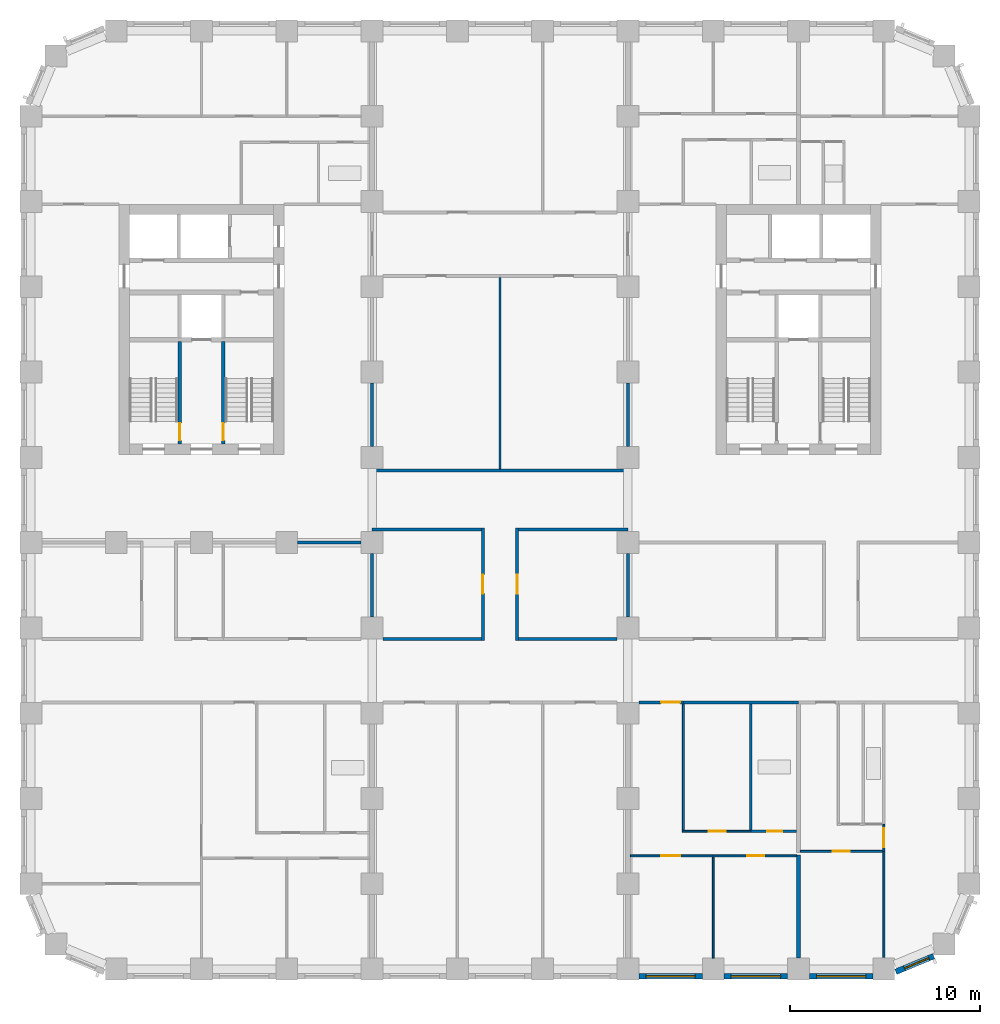
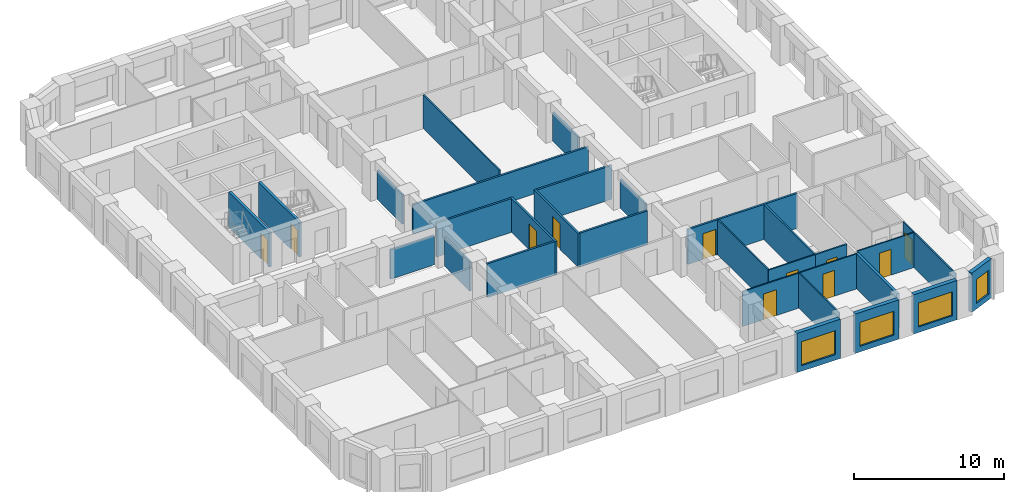
# One storey, part 4 of 12: 32 walls, 11 doors, 4 windows, 15 openings.
"""IFC4 building model written with IfcOpenShell, lengths in metres."""

from ifc_helpers import new_model, si_unit, direction, frame, frame_2d, origin, place, context, subcontext, project, spatial, rectangle, extrude, material, layer, layer_set, type_object, element, fill, save


model = new_model("IFC4")

# Units and contexts
model_context = context("Model", 3, precision=1e-05, world=origin(), true_north=direction((0.0, 1.0)))
body_context = subcontext(model_context, "Body", "Model", "MODEL_VIEW")
ifc_project = project(units=[si_unit("LENGTHUNIT", "METRE"), si_unit("AREAUNIT", "SQUARE_METRE"), si_unit("VOLUMEUNIT", "CUBIC_METRE"), si_unit("PLANEANGLEUNIT", "RADIAN"), si_unit("MASSUNIT", "GRAM", prefix="KILO")], contexts=[model_context])

# Site, building, storey
site_placement = place(None, origin())
site = spatial("IfcSite", under=ifc_project, at=site_placement, CompositionType="ELEMENT")
building_placement = place(site_placement, origin())
building = spatial("IfcBuilding", under=site, at=building_placement, Name="Girih Gate Residences", CompositionType="ELEMENT")
storey_placement = place(building_placement, frame((0.0, 0.0, 121.60009765625)))
storey = spatial("IfcBuildingStorey", under=building, at=storey_placement, Name="L34", CompositionType="ELEMENT", Elevation=121.60009765625)

# Wall, opening, door
ifc_material_1 = material(Name="Gypsum board on steel studs", Category="steel")
ifc_layer_1 = layer(ifc_material_1, 0.14990234375)
ifc_layer_set_1 = layer_set([ifc_layer_1], Name="Compartment wall 150 mm")
wall_type_1 = type_object("IfcWallType", Name="Compartment wall 150 mm", PredefinedType="PARTITIONING", material=ifc_layer_set_1)
wall_1_placement = place(storey_placement, frame((34.425048828125, 14.074951171875, 0.0), z_axis=(0.0, 0.0, 1.0), x_axis=(-1.0, 0.0, 0.0)))
wall_1 = element("IfcWall", 1, at=wall_1_placement, inside=storey, type_object=wall_type_1, Name="L34 partition", PredefinedType="PARTITIONING", context=body_context, shape_type="SweptSolid", body=[
    extrude(rectangle(XDim=2.35009765625, YDim=0.14990234375, at=frame_2d((1.175048828125, 0.0))), origin(), (0.0, 0.0, 1.0), 2.849853515625),
])
opening_1_placement = place(wall_1_placement, frame((0.175048828125, 0.0, 0.0)))
opening_1 = element("IfcOpeningElement", 2, at=opening_1_placement, cuts=wall_1, Name="Opening A34-023", PredefinedType="OPENING", context=body_context, shape_type="SweptSolid", body=[
    extrude(rectangle(XDim=1.0, YDim=2.10009765625, at=frame_2d((0.5, 1.050048828125))), frame((0.0, 0.0849609375, 0.0), z_axis=(0.0, -1.0, 0.0), x_axis=(1.0, 0.0, 0.0)), (0.0, 0.0, 1.0), 0.169921875),
])
ifc_material_2 = material(Name="Timber, fire-rated core", Category="wood")
door_type_1 = type_object("IfcDoorType", Name="Flat entrance door 1000x2100 FD30S", OperationType="NOTDEFINED", PredefinedType="DOOR", material=ifc_material_2)
door_1_placement = place(opening_1_placement, origin())
door_1 = element("IfcDoor", 3, at=door_1_placement, inside=storey, type_object=door_type_1, Name="Door A34-023", OperationType="SINGLE_SWING_LEFT", OverallHeight=2.10009765625, OverallWidth=1.0, PredefinedType="DOOR", context=body_context, shape_type="SweptSolid", body=[
    extrude(rectangle(XDim=1.0, YDim=2.10009765625, at=frame_2d((0.5, 1.050048828125))), frame((0.0, 0.02490234375, 0.0), z_axis=(0.0, -1.0, 0.0), x_axis=(1.0, 0.0, 0.0)), (0.0, 0.0, 1.0), 0.050048828125),
])
fill(opening_1, door_1)

# Wall
wall_2_placement = place(storey_placement, frame((34.425048828125, 14.074951171875, 0.0), z_axis=(0.0, 0.0, 1.0), x_axis=(1.0, 0.0, 0.0)))
element("IfcWall", 4, at=wall_2_placement, inside=storey, type_object=wall_type_1, Name="L34 partition", PredefinedType="PARTITIONING", context=body_context, shape_type="SweptSolid", body=[
    extrude(rectangle(XDim=6.074951171875, YDim=0.14990234375, at=frame_2d((3.03759765625, 0.0))), origin(), (0.0, 0.0, 1.0), 2.849853515625),
])

# Wall, opening, door
wall_3_placement = place(storey_placement, frame((23.85009765625, 17.35009765625, 0.0), z_axis=(0.0, 0.0, 1.0), x_axis=(0.0, 1.0, 0.0)))
wall_3 = element("IfcWall", 5, at=wall_3_placement, inside=storey, type_object=wall_type_1, Name="L34 partition", PredefinedType="PARTITIONING", context=body_context, shape_type="SweptSolid", body=[
    extrude(rectangle(XDim=5.9248046875, YDim=0.14990234375, at=frame_2d((2.96240234375, 0.0))), origin(), (0.0, 0.0, 1.0), 2.75),
])
opening_2_placement = place(wall_3_placement, frame((2.46240234375, 0.0, 0.0)))
opening_2 = element("IfcOpeningElement", 6, at=opening_2_placement, cuts=wall_3, Name="Opening A34-043", PredefinedType="OPENING", context=body_context, shape_type="SweptSolid", body=[
    extrude(rectangle(XDim=1.0, YDim=2.10009765625, at=frame_2d((0.5, 1.050048828125))), frame((0.0, 0.0849609375, 0.0), z_axis=(0.0, -1.0, 0.0), x_axis=(1.0, 0.0, 0.0)), (0.0, 0.0, 1.0), 0.169921875),
])
door_type_2 = type_object("IfcDoorType", Name="Amenity room door 1000x2100 FD30S", OperationType="NOTDEFINED", PredefinedType="DOOR", material=ifc_material_2)
door_2_placement = place(opening_2_placement, origin())
door_2 = element("IfcDoor", 7, at=door_2_placement, inside=storey, type_object=door_type_2, Name="Door A34-043", OperationType="SINGLE_SWING_RIGHT", OverallHeight=2.10009765625, OverallWidth=1.0, PredefinedType="DOOR", context=body_context, shape_type="SweptSolid", body=[
    extrude(rectangle(XDim=1.0, YDim=2.10009765625, at=frame_2d((0.5, 1.050048828125))), frame((0.0, 0.02490234375, 0.0), z_axis=(0.0, -1.0, 0.0), x_axis=(1.0, 0.0, 0.0)), (0.0, 0.0, 1.0), 0.050048828125),
])
fill(opening_2, door_2)

wall_4_placement = place(storey_placement, frame((25.64990234375, 23.27490234375, 0.0), z_axis=(0.0, 0.0, 1.0), x_axis=(0.0, -1.0, 0.0)))
wall_4 = element("IfcWall", 8, at=wall_4_placement, inside=storey, type_object=wall_type_1, Name="L34 partition", PredefinedType="PARTITIONING", context=body_context, shape_type="SweptSolid", body=[
    extrude(rectangle(XDim=5.9248046875, YDim=0.14990234375, at=frame_2d((2.96240234375, 0.0))), origin(), (0.0, 0.0, 1.0), 2.75),
])
opening_3_placement = place(wall_4_placement, frame((2.46240234375, 0.0, 0.0)))
opening_3 = element("IfcOpeningElement", 9, at=opening_3_placement, cuts=wall_4, Name="Opening A34-044", PredefinedType="OPENING", context=body_context, shape_type="SweptSolid", body=[
    extrude(rectangle(XDim=1.0, YDim=2.10009765625, at=frame_2d((0.5, 1.050048828125))), frame((0.0, 0.0849609375, 0.0), z_axis=(0.0, -1.0, 0.0), x_axis=(1.0, 0.0, 0.0)), (0.0, 0.0, 1.0), 0.169921875),
])
door_3_placement = place(opening_3_placement, origin())
door_3 = element("IfcDoor", 10, at=door_3_placement, inside=storey, type_object=door_type_2, Name="Door A34-044", OperationType="SINGLE_SWING_RIGHT", OverallHeight=2.10009765625, OverallWidth=1.0, PredefinedType="DOOR", context=body_context, shape_type="SweptSolid", body=[
    extrude(rectangle(XDim=1.0, YDim=2.10009765625, at=frame_2d((0.5, 1.050048828125))), frame((0.0, 0.02490234375, 0.0), z_axis=(0.0, -1.0, 0.0), x_axis=(1.0, 0.0, 0.0)), (0.0, 0.0, 1.0), 0.050048828125),
])
fill(opening_3, door_3)

# Walls
for number, where, z_axis, x_axis, name in (
    (11, (18.574951171875, 17.425048828125, 0.0), (0.0, 0.0, 1.0), (1.0, 0.0, 0.0), "L34 partition"),
    (12, (25.72509765625, 17.425048828125, 0.0), (0.0, 0.0, 1.0), (1.0, 0.0, 0.0), "L34 partition"),
):
    element("IfcWall", number, at=place(storey_placement, frame(where, z_axis=z_axis, x_axis=x_axis)), inside=storey, type_object=wall_type_1, Name=name, PredefinedType="PARTITIONING", context=body_context, shape_type="SweptSolid", body=[
        extrude(rectangle(XDim=5.199951171875, YDim=0.14990234375, at=frame_2d((2.60009765625, 0.0))), origin(), (0.0, 0.0, 1.0), 2.75),
    ])
wall_5_placement = place(storey_placement, frame((18.0, 27.574951171875, 0.0), z_axis=(0.0, 0.0, 1.0), x_axis=(0.0, 1.0, 0.0)))
element("IfcWall", 13, at=wall_5_placement, inside=storey, type_object=wall_type_1, Name="L34 partition", PredefinedType="PARTITIONING", context=body_context, shape_type="SweptSolid", body=[
    extrude(rectangle(XDim=3.35009765625, YDim=0.14990234375, at=frame_2d((1.675048828125, 0.0))), origin(), (0.0, 0.0, 1.0), 2.3798828125),
])
wall_6_placement = place(storey_placement, frame((18.0, 26.300048828125, 0.0), z_axis=(0.0, 0.0, 1.0), x_axis=(1.0, 0.0, 0.0)))
element("IfcWall", 14, at=wall_6_placement, inside=storey, type_object=wall_type_1, Name="L34 partition", PredefinedType="PARTITIONING", context=body_context, shape_type="SweptSolid", body=[
    extrude(rectangle(XDim=13.5, YDim=0.14990234375, at=frame_2d((6.75, 0.0))), origin(), (0.0, 0.0, 1.0), 2.3798828125),
])
wall_7_placement = place(storey_placement, frame((31.5, 27.574951171875, 0.0), z_axis=(0.0, 0.0, 1.0), x_axis=(0.0, 1.0, 0.0)))
element("IfcWall", 15, at=wall_7_placement, inside=storey, type_object=wall_type_1, Name="L34 partition", PredefinedType="PARTITIONING", context=body_context, shape_type="SweptSolid", body=[
    extrude(rectangle(XDim=3.35009765625, YDim=0.14990234375, at=frame_2d((1.675048828125, 0.0))), origin(), (0.0, 0.0, 1.0), 2.3798828125),
])
wall_8_placement = place(storey_placement, frame((18.0, 23.199951171875, 0.0), z_axis=(0.0, 0.0, 1.0), x_axis=(1.0, 0.0, 0.0)))
element("IfcWall", 16, at=wall_8_placement, inside=storey, type_object=wall_type_1, Name="L34 partition", PredefinedType="PARTITIONING", context=body_context, shape_type="SweptSolid", body=[
    extrude(rectangle(XDim=5.77490234375, YDim=0.14990234375, at=frame_2d((2.887451171875, 0.0))), origin(), (0.0, 0.0, 1.0), 2.75),
])
wall_9_placement = place(storey_placement, frame((18.0, 18.574951171875, 0.0), z_axis=(0.0, 0.0, 1.0), x_axis=(0.0, 1.0, 0.0)))
element("IfcWall", 17, at=wall_9_placement, inside=storey, type_object=wall_type_1, Name="L34 partition", PredefinedType="PARTITIONING", context=body_context, shape_type="SweptSolid", body=[
    extrude(rectangle(XDim=3.35009765625, YDim=0.14990234375, at=frame_2d((1.675048828125, 0.0))), origin(), (0.0, 0.0, 1.0), 2.3798828125),
])
wall_10_placement = place(storey_placement, frame((25.72509765625, 23.199951171875, 0.0), z_axis=(0.0, 0.0, 1.0), x_axis=(1.0, 0.0, 0.0)))
element("IfcWall", 18, at=wall_10_placement, inside=storey, type_object=wall_type_1, Name="L34 partition", PredefinedType="PARTITIONING", context=body_context, shape_type="SweptSolid", body=[
    extrude(rectangle(XDim=5.77490234375, YDim=0.14990234375, at=frame_2d((2.887451171875, 0.0))), origin(), (0.0, 0.0, 1.0), 2.75),
])
for number, where, z_axis, x_axis, name in (
    (19, (31.5, 18.574951171875, 0.0), (0.0, 0.0, 1.0), (0.0, 1.0, 0.0), "L34 partition"),
    (20, (14.074951171875, 22.5, 0.0), (0.0, 0.0, 1.0), (1.0, 0.0, 0.0), "L34 partition"),
):
    element("IfcWall", number, at=place(storey_placement, frame(where, z_axis=z_axis, x_axis=x_axis)), inside=storey, type_object=wall_type_1, Name=name, PredefinedType="PARTITIONING", context=body_context, shape_type="SweptSolid", body=[
        extrude(rectangle(XDim=3.35009765625, YDim=0.14990234375, at=frame_2d((1.675048828125, 0.0))), origin(), (0.0, 0.0, 1.0), 2.3798828125),
    ])

# Wall, opening, door
ifc_layer_2 = layer(ifc_material_1, 0.10009765625)
ifc_layer_set_2 = layer_set([ifc_layer_2], Name="Partition 100 mm")
wall_type_2 = type_object("IfcWallType", Name="Partition 100 mm", PredefinedType="PARTITIONING", material=ifc_layer_set_2)
wall_11_placement = place(storey_placement, frame((44.949951171875, 6.215087890625, 0.0), z_axis=(0.0, 0.0, 1.0), x_axis=(-1.0, 0.0, 0.0)))
wall_11 = element("IfcWall", 21, at=wall_11_placement, inside=storey, type_object=wall_type_2, Name="L34 partition", PredefinedType="PARTITIONING", context=body_context, shape_type="SweptSolid", body=[
    extrude(rectangle(XDim=4.349853515625, YDim=0.10009765625, at=frame_2d((2.1748046875, 0.0))), origin(), (0.0, 0.0, 1.0), 2.849853515625),
])
opening_4_placement = place(wall_11_placement, frame((1.75, 0.0, 0.0)))
opening_4 = element("IfcOpeningElement", 22, at=opening_4_placement, cuts=wall_11, Name="Opening A34-015", PredefinedType="OPENING", context=body_context, shape_type="SweptSolid", body=[
    extrude(rectangle(XDim=0.89990234375, YDim=2.10009765625, at=frame_2d((0.449951171875, 1.050048828125))), frame((0.0, 0.06005859375, 0.0), z_axis=(0.0, -1.0, 0.0), x_axis=(1.0, 0.0, 0.0)), (0.0, 0.0, 1.0), 0.1201171875),
])
ifc_material_3 = material(Name="Timber", Category="wood")
door_type_3 = type_object("IfcDoorType", Name="Bedroom door 900x2100", OperationType="NOTDEFINED", PredefinedType="DOOR", material=ifc_material_3)
door_4_placement = place(opening_4_placement, origin())
door_4 = element("IfcDoor", 23, at=door_4_placement, inside=storey, type_object=door_type_3, Name="Door A34-015", OperationType="SINGLE_SWING_RIGHT", OverallHeight=2.10009765625, OverallWidth=0.89990234375, PredefinedType="DOOR", context=body_context, shape_type="SweptSolid", body=[
    extrude(rectangle(XDim=0.89990234375, YDim=2.10009765625, at=frame_2d((0.449951171875, 1.050048828125))), frame((0.0, 0.02490234375, 0.0), z_axis=(0.0, -1.0, 0.0), x_axis=(1.0, 0.0, 0.0)), (0.0, 0.0, 1.0), 0.050048828125),
])
fill(opening_4, door_4)

# Wall
wall_12_placement = place(storey_placement, frame((45.0, 0.622314453125, 0.0), z_axis=(0.0, 0.0, 1.0), x_axis=(0.0, 1.0, 0.0)))
element("IfcWall", 24, at=wall_12_placement, inside=storey, type_object=wall_type_2, Name="L34 partition", PredefinedType="PARTITIONING", context=body_context, shape_type="SweptSolid", body=[
    extrude(rectangle(XDim=5.5927734375, YDim=0.10009765625, at=frame_2d((2.79638671875, 0.0))), origin(), (0.0, 0.0, 1.0), 2.849853515625),
])

# Wall, opening, door
wall_13_placement = place(storey_placement, frame((45.0, 7.635009765625, 0.0), z_axis=(0.0, 0.0, 1.0), x_axis=(0.0, -1.0, 0.0)))
wall_13 = element("IfcWall", 25, at=wall_13_placement, inside=storey, type_object=wall_type_2, Name="L34 partition", PredefinedType="PARTITIONING", context=body_context, shape_type="SweptSolid", body=[
    extrude(rectangle(XDim=1.419921875, YDim=0.10009765625, at=frame_2d((0.7099609375, 0.0))), origin(), (0.0, 0.0, 1.0), 2.849853515625),
])
opening_5_placement = place(wall_13_placement, frame((0.2099609375, 0.0, 0.0)))
opening_5 = element("IfcOpeningElement", 26, at=opening_5_placement, cuts=wall_13, Name="Opening A34-017", PredefinedType="OPENING", context=body_context, shape_type="SweptSolid", body=[
    extrude(rectangle(XDim=1.0, YDim=2.10009765625, at=frame_2d((0.5, 1.050048828125))), frame((0.0, 0.06005859375, 0.0), z_axis=(0.0, -1.0, 0.0), x_axis=(1.0, 0.0, 0.0)), (0.0, 0.0, 1.0), 0.1201171875),
])
door_type_4 = type_object("IfcDoorType", Name="Living room door 1000x2100", OperationType="NOTDEFINED", PredefinedType="DOOR", material=ifc_material_3)
door_5_placement = place(opening_5_placement, origin())
door_5 = element("IfcDoor", 27, at=door_5_placement, inside=storey, type_object=door_type_4, Name="Door A34-017", OperationType="SINGLE_SWING_RIGHT", OverallHeight=2.10009765625, OverallWidth=1.0, PredefinedType="DOOR", context=body_context, shape_type="SweptSolid", body=[
    extrude(rectangle(XDim=1.0, YDim=2.10009765625, at=frame_2d((0.5, 1.050048828125))), frame((0.0, 0.02490234375, 0.0), z_axis=(0.0, -1.0, 0.0), x_axis=(1.0, 0.0, 0.0)), (0.0, 0.0, 1.0), 0.050048828125),
])
fill(opening_5, door_5)

wall_14_placement = place(storey_placement, frame((40.39990234375, 5.97509765625, 0.0), z_axis=(0.0, 0.0, 1.0), x_axis=(-1.0, 0.0, 0.0)))
wall_14 = element("IfcWall", 28, at=wall_14_placement, inside=storey, type_object=wall_type_2, Name="L34 partition", PredefinedType="PARTITIONING", context=body_context, shape_type="SweptSolid", body=[
    extrude(rectangle(XDim=4.39990234375, YDim=0.10009765625, at=frame_2d((2.199951171875, 0.0))), origin(), (0.0, 0.0, 1.0), 2.849853515625),
])
opening_6_placement = place(wall_14_placement, frame((1.699951171875, 0.0, 0.0)))
opening_6 = element("IfcOpeningElement", 29, at=opening_6_placement, cuts=wall_14, Name="Opening A34-020", PredefinedType="OPENING", context=body_context, shape_type="SweptSolid", body=[
    extrude(rectangle(XDim=0.89990234375, YDim=2.10009765625, at=frame_2d((0.449951171875, 1.050048828125))), frame((0.0, 0.06005859375, 0.0), z_axis=(0.0, -1.0, 0.0), x_axis=(1.0, 0.0, 0.0)), (0.0, 0.0, 1.0), 0.1201171875),
])
door_6_placement = place(opening_6_placement, origin())
door_6 = element("IfcDoor", 30, at=door_6_placement, inside=storey, type_object=door_type_3, Name="Door A34-020", OperationType="SINGLE_SWING_LEFT", OverallHeight=2.10009765625, OverallWidth=0.89990234375, PredefinedType="DOOR", context=body_context, shape_type="SweptSolid", body=[
    extrude(rectangle(XDim=0.89990234375, YDim=2.10009765625, at=frame_2d((0.449951171875, 1.050048828125))), frame((0.0, 0.02490234375, 0.0), z_axis=(0.0, -1.0, 0.0), x_axis=(1.0, 0.0, 0.0)), (0.0, 0.0, 1.0), 0.050048828125),
])
fill(opening_6, door_6)

# Walls
wall_15_placement = place(storey_placement, frame((36.0, 0.574951171875, 0.0), z_axis=(0.0, 0.0, 1.0), x_axis=(0.0, 1.0, 0.0)))
element("IfcWall", 31, at=wall_15_placement, inside=storey, type_object=wall_type_2, Name="L34 partition", PredefinedType="PARTITIONING", context=body_context, shape_type="SweptSolid", body=[
    extrude(rectangle(XDim=5.35009765625, YDim=0.10009765625, at=frame_2d((2.675048828125, 0.0))), origin(), (0.0, 0.0, 1.0), 2.849853515625),
])
wall_16_placement = place(storey_placement, frame((34.425048828125, 7.324951171875, 0.0), z_axis=(0.0, 0.0, 1.0), x_axis=(0.0, 1.0, 0.0)))
element("IfcWall", 32, at=wall_16_placement, inside=storey, type_object=wall_type_2, Name="L34 partition", PredefinedType="PARTITIONING", context=body_context, shape_type="SweptSolid", body=[
    extrude(rectangle(XDim=6.675048828125, YDim=0.10009765625, at=frame_2d((3.33740234375, 0.0))), origin(), (0.0, 0.0, 1.0), 2.849853515625),
])

# Wall, opening, door
wall_17_placement = place(storey_placement, frame((34.375, 7.27490234375, 0.0), z_axis=(0.0, 0.0, 1.0), x_axis=(1.0, 0.0, 0.0)))
wall_17 = element("IfcWall", 33, at=wall_17_placement, inside=storey, type_object=wall_type_2, Name="L34 partition", PredefinedType="PARTITIONING", context=body_context, shape_type="SweptSolid", body=[
    extrude(rectangle(XDim=3.613037109375, YDim=0.10009765625, at=frame_2d((1.806640625, 0.0))), origin(), (0.0, 0.0, 1.0), 2.849853515625),
])
opening_7_placement = place(wall_17_placement, frame((1.381591796875, 0.0, 0.0)))
opening_7 = element("IfcOpeningElement", 34, at=opening_7_placement, cuts=wall_17, Name="Opening A34-021", PredefinedType="OPENING", context=body_context, shape_type="SweptSolid", body=[
    extrude(rectangle(XDim=0.89990234375, YDim=2.10009765625, at=frame_2d((0.449951171875, 1.050048828125))), frame((0.0, 0.06005859375, 0.0), z_axis=(0.0, -1.0, 0.0), x_axis=(1.0, 0.0, 0.0)), (0.0, 0.0, 1.0), 0.1201171875),
])
door_type_5 = type_object("IfcDoorType", Name="Kitchen door 900x2100", OperationType="NOTDEFINED", PredefinedType="DOOR", material=ifc_material_3)
door_7_placement = place(opening_7_placement, origin())
door_7 = element("IfcDoor", 35, at=door_7_placement, inside=storey, type_object=door_type_5, Name="Door A34-021", OperationType="SINGLE_SWING_RIGHT", OverallHeight=2.10009765625, OverallWidth=0.89990234375, PredefinedType="DOOR", context=body_context, shape_type="SweptSolid", body=[
    extrude(rectangle(XDim=0.89990234375, YDim=2.10009765625, at=frame_2d((0.449951171875, 1.050048828125))), frame((0.0, 0.02490234375, 0.0), z_axis=(0.0, -1.0, 0.0), x_axis=(1.0, 0.0, 0.0)), (0.0, 0.0, 1.0), 0.050048828125),
])
fill(opening_7, door_7)

wall_18_placement = place(storey_placement, frame((36.0, 5.97509765625, 0.0), z_axis=(0.0, 0.0, 1.0), x_axis=(-1.0, 0.0, 0.0)))
wall_18 = element("IfcWall", 36, at=wall_18_placement, inside=storey, type_object=wall_type_2, Name="L34 partition", PredefinedType="PARTITIONING", context=body_context, shape_type="SweptSolid", body=[
    extrude(rectangle(XDim=4.375, YDim=0.10009765625, at=frame_2d((2.1875, 0.0))), origin(), (0.0, 0.0, 1.0), 2.849853515625),
])
opening_8_placement = place(wall_18_placement, frame((1.75, 0.0, 0.0)))
opening_8 = element("IfcOpeningElement", 37, at=opening_8_placement, cuts=wall_18, Name="Opening A34-022", PredefinedType="OPENING", context=body_context, shape_type="SweptSolid", body=[
    extrude(rectangle(XDim=1.0, YDim=2.10009765625, at=frame_2d((0.5, 1.050048828125))), frame((0.0, 0.06005859375, 0.0), z_axis=(0.0, -1.0, 0.0), x_axis=(1.0, 0.0, 0.0)), (0.0, 0.0, 1.0), 0.1201171875),
])
door_8_placement = place(opening_8_placement, origin())
door_8 = element("IfcDoor", 38, at=door_8_placement, inside=storey, type_object=door_type_4, Name="Door A34-022", OperationType="SINGLE_SWING_RIGHT", OverallHeight=2.10009765625, OverallWidth=1.0, PredefinedType="DOOR", context=body_context, shape_type="SweptSolid", body=[
    extrude(rectangle(XDim=1.0, YDim=2.10009765625, at=frame_2d((0.5, 1.050048828125))), frame((0.0, 0.02490234375, 0.0), z_axis=(0.0, -1.0, 0.0), x_axis=(1.0, 0.0, 0.0)), (0.0, 0.0, 1.0), 0.050048828125),
])
fill(opening_8, door_8)

# Walls
wall_19_placement = place(storey_placement, frame((24.75, 26.375, 0.0), z_axis=(0.0, 0.0, 1.0), x_axis=(0.0, 1.0, 0.0)))
element("IfcWall", 39, at=wall_19_placement, inside=storey, type_object=wall_type_2, Name="L34 partition", PredefinedType="PARTITIONING", context=body_context, shape_type="SweptSolid", body=[
    extrude(rectangle(XDim=10.125, YDim=0.10009765625, at=frame_2d((5.0625, 0.0))), origin(), (0.0, 0.0, 1.0), 2.75),
])
ifc_layer_3 = layer(ifc_material_1, 0.199951171875)
ifc_layer_set_3 = layer_set([ifc_layer_3], Name="Party wall 200 mm")
wall_type_3 = type_object("IfcWallType", Name="Party wall 200 mm", PredefinedType="PARTITIONING", material=ifc_layer_set_3)
wall_20_placement = place(storey_placement, frame((40.5, 0.574951171875, 0.0), z_axis=(0.0, 0.0, 1.0), x_axis=(0.0, 1.0, 0.0)))
element("IfcWall", 40, at=wall_20_placement, inside=storey, type_object=wall_type_3, Name="L34 partition", PredefinedType="PARTITIONING", context=body_context, shape_type="SweptSolid", body=[
    extrude(rectangle(XDim=5.449951171875, YDim=0.199951171875, at=frame_2d((2.72509765625, 0.0))), origin(), (0.0, 0.0, 1.0), 2.849853515625),
])

# Wall, opening, window
ifc_material_4 = material(Name="Precast concrete C50/60", Category="concrete")
ifc_layer_4 = layer(ifc_material_4, 0.080078125, Name="Outer leaf")
ifc_material_5 = material(Name="Rigid PIR insulation")
ifc_layer_5 = layer(ifc_material_5, 0.14990234375, Name="Insulation")
ifc_material_6 = material(Name="Precast concrete C40/50", Category="concrete")
ifc_layer_6 = layer(ifc_material_6, 0.070068359375, Name="Inner leaf")
ifc_layer_set_4 = layer_set([ifc_layer_4, ifc_layer_5, ifc_layer_6], Name="Precast concrete C50/60 external wall 300")
wall_type_4 = type_object("IfcWallType", Name="Precast concrete C50/60 external wall 300", PredefinedType="SOLIDWALL", material=ifc_layer_set_4)
wall_21_placement = place(storey_placement, frame((35.425048828125, -0.375, 0.0), z_axis=(0.0, 0.0, 1.0), x_axis=(-1.0, 0.0, 0.0)))
wall_21 = element("IfcWall", 41, at=wall_21_placement, inside=storey, type_object=wall_type_4, Name="External wall S0045_0000.6", PredefinedType="SOLIDWALL", context=body_context, shape_type="SweptSolid", body=[
    extrude(rectangle(XDim=3.35009765625, YDim=0.300048828125, at=frame_2d((1.675048828125, 0.0))), origin(), (0.0, 0.0, 1.0), 3.199951171875),
])
opening_9_placement = place(wall_21_placement, frame((0.375, 0.0, 0.449951171875)))
opening_9 = element("IfcOpeningElement", 42, at=opening_9_placement, cuts=wall_21, Name="Opening W-1A", PredefinedType="OPENING", context=body_context, shape_type="SweptSolid", body=[
    extrude(rectangle(XDim=2.60009765625, YDim=1.949951171875, at=frame_2d((1.300048828125, 0.97509765625))), frame((0.0, 0.159912109375, 0.0), z_axis=(0.0, -1.0, 0.0), x_axis=(1.0, 0.0, 0.0)), (0.0, 0.0, 1.0), 0.320068359375),
])
ifc_material_7 = material(Name="Double glazing in aluminium frame", Category="aluminium")
window_type_1 = type_object("IfcWindowType", Name="Window W-1A 2600x1950", PartitioningType="SINGLE_PANEL", PredefinedType="WINDOW", material=ifc_material_7)
window_1_placement = place(opening_9_placement, origin())
window_1 = element("IfcWindow", 43, at=window_1_placement, inside=storey, type_object=window_type_1, Name="Window W-1A S0045_0000.6", OverallHeight=1.949951171875, OverallWidth=2.60009765625, PartitioningType="SINGLE_PANEL", PredefinedType="WINDOW", context=body_context, shape_type="SweptSolid", body=[
    extrude(rectangle(XDim=2.60009765625, YDim=1.949951171875, at=frame_2d((1.300048828125, 0.97509765625))), frame((0.0, 0.030029296875, 0.0), z_axis=(0.0, -1.0, 0.0), x_axis=(1.0, 0.0, 0.0)), (0.0, 0.0, 1.0), 0.06005859375),
])
fill(opening_9, window_1)

wall_22_placement = place(storey_placement, frame((39.925048828125, -0.375, 0.0), z_axis=(0.0, 0.0, 1.0), x_axis=(-1.0, 0.0, 0.0)))
wall_22 = element("IfcWall", 44, at=wall_22_placement, inside=storey, type_object=wall_type_4, Name="External wall S0045_0000.7", PredefinedType="SOLIDWALL", context=body_context, shape_type="SweptSolid", body=[
    extrude(rectangle(XDim=3.35009765625, YDim=0.300048828125, at=frame_2d((1.675048828125, 0.0))), origin(), (0.0, 0.0, 1.0), 3.199951171875),
])
opening_10_placement = place(wall_22_placement, frame((0.375, 0.0, 0.449951171875)))
opening_10 = element("IfcOpeningElement", 45, at=opening_10_placement, cuts=wall_22, Name="Opening W-1A", PredefinedType="OPENING", context=body_context, shape_type="SweptSolid", body=[
    extrude(rectangle(XDim=2.60009765625, YDim=1.949951171875, at=frame_2d((1.300048828125, 0.97509765625))), frame((0.0, 0.159912109375, 0.0), z_axis=(0.0, -1.0, 0.0), x_axis=(1.0, 0.0, 0.0)), (0.0, 0.0, 1.0), 0.320068359375),
])
window_2_placement = place(opening_10_placement, origin())
window_2 = element("IfcWindow", 46, at=window_2_placement, inside=storey, type_object=window_type_1, Name="Window W-1A S0045_0000.7", OverallHeight=1.949951171875, OverallWidth=2.60009765625, PartitioningType="SINGLE_PANEL", PredefinedType="WINDOW", context=body_context, shape_type="SweptSolid", body=[
    extrude(rectangle(XDim=2.60009765625, YDim=1.949951171875, at=frame_2d((1.300048828125, 0.97509765625))), frame((0.0, 0.030029296875, 0.0), z_axis=(0.0, -1.0, 0.0), x_axis=(1.0, 0.0, 0.0)), (0.0, 0.0, 1.0), 0.06005859375),
])
fill(opening_10, window_2)

wall_23_placement = place(storey_placement, frame((44.425048828125, -0.375, 0.0), z_axis=(0.0, 0.0, 1.0), x_axis=(-1.0, 0.0, 0.0)))
wall_23 = element("IfcWall", 47, at=wall_23_placement, inside=storey, type_object=wall_type_4, Name="External wall S0045_0000.8", PredefinedType="SOLIDWALL", context=body_context, shape_type="SweptSolid", body=[
    extrude(rectangle(XDim=3.35009765625, YDim=0.300048828125, at=frame_2d((1.675048828125, 0.0))), origin(), (0.0, 0.0, 1.0), 3.199951171875),
])
opening_11_placement = place(wall_23_placement, frame((0.375, 0.0, 0.449951171875)))
opening_11 = element("IfcOpeningElement", 48, at=opening_11_placement, cuts=wall_23, Name="Opening W-1A", PredefinedType="OPENING", context=body_context, shape_type="SweptSolid", body=[
    extrude(rectangle(XDim=2.60009765625, YDim=1.949951171875, at=frame_2d((1.300048828125, 0.97509765625))), frame((0.0, 0.159912109375, 0.0), z_axis=(0.0, -1.0, 0.0), x_axis=(1.0, 0.0, 0.0)), (0.0, 0.0, 1.0), 0.320068359375),
])
window_3_placement = place(opening_11_placement, origin())
window_3 = element("IfcWindow", 49, at=window_3_placement, inside=storey, type_object=window_type_1, Name="Window W-1A S0045_0000.8", OverallHeight=1.949951171875, OverallWidth=2.60009765625, PartitioningType="SINGLE_PANEL", PredefinedType="WINDOW", context=body_context, shape_type="SweptSolid", body=[
    extrude(rectangle(XDim=2.60009765625, YDim=1.949951171875, at=frame_2d((1.300048828125, 0.97509765625))), frame((0.0, 0.030029296875, 0.0), z_axis=(0.0, -1.0, 0.0), x_axis=(1.0, 0.0, 0.0)), (0.0, 0.0, 1.0), 0.06005859375),
])
fill(opening_11, window_3)

wall_24_placement = place(storey_placement, frame((47.63134765625, 0.68408203125, 0.0), z_axis=(0.0, 0.0, 1.0), x_axis=(-0.923862802911, -0.382723818695, 0.0)))
wall_24 = element("IfcWall", 50, at=wall_24_placement, inside=storey, type_object=wall_type_4, Name="External wall SE0450_0000.0", PredefinedType="SOLIDWALL", context=body_context, shape_type="SweptSolid", body=[
    extrude(rectangle(XDim=2.163818359375, YDim=0.300048828125, at=frame_2d((1.08203125, 0.0))), origin(), (0.0, 0.0, 1.0), 3.199951171875),
])
opening_12_placement = place(wall_24_placement, frame((0.270751953125, 0.0, 0.449951171875)))
opening_12 = element("IfcOpeningElement", 51, at=opening_12_placement, cuts=wall_24, Name="Opening W-2D", PredefinedType="OPENING", context=body_context, shape_type="SweptSolid", body=[
    extrude(rectangle(XDim=1.39990234375, YDim=1.949951171875, at=frame_2d((0.699951171875, 0.97509765625))), frame((0.0, 0.159912109375, 0.0), z_axis=(0.0, -1.0, 0.0), x_axis=(1.0, 0.0, 0.0)), (0.0, 0.0, 1.0), 0.320068359375),
])
window_type_2 = type_object("IfcWindowType", Name="Window W-2D 1400x1950", PartitioningType="SINGLE_PANEL", PredefinedType="WINDOW", material=ifc_material_7)
window_4_placement = place(opening_12_placement, origin())
window_4 = element("IfcWindow", 52, at=window_4_placement, inside=storey, type_object=window_type_2, Name="Window W-2D SE0450_0000.0", OverallHeight=1.949951171875, OverallWidth=1.39990234375, PartitioningType="SINGLE_PANEL", PredefinedType="WINDOW", context=body_context, shape_type="SweptSolid", body=[
    extrude(rectangle(XDim=1.39990234375, YDim=1.949951171875, at=frame_2d((0.699951171875, 0.97509765625))), frame((0.0, 0.030029296875, 0.0), z_axis=(0.0, -1.0, 0.0), x_axis=(1.0, 0.0, 0.0)), (0.0, 0.0, 1.0), 0.06005859375),
])
fill(opening_12, window_4)

# Wall, opening, door
ifc_material_8 = material(Name="Concrete C40/50", Category="concrete")
ifc_layer_7 = layer(ifc_material_8, 0.199951171875)
ifc_layer_set_5 = layer_set([ifc_layer_7], Name="Shaft wall 200")
wall_type_5 = type_object("IfcWallType", Name="Shaft wall 200", PredefinedType="SOLIDWALL", material=ifc_layer_set_5)
wall_25_placement = place(storey_placement, frame((7.85009765625, 27.699951171875, 0.0), z_axis=(0.0, 0.0, 1.0), x_axis=(0.0, 1.0, 0.0)))
wall_25 = element("IfcWall", 53, at=wall_25_placement, inside=storey, type_object=wall_type_5, Name="L34 W core wall V1a", PredefinedType="SOLIDWALL", context=body_context, shape_type="SweptSolid", body=[
    extrude(rectangle(XDim=5.400146484375, YDim=0.199951171875, at=frame_2d((2.7001953125, 0.0))), origin(), (0.0, 0.0, 1.0), 2.849853515625),
])
opening_13_placement = place(wall_25_placement, frame((0.199951171875, 0.0, 0.0)))
opening_13 = element("IfcOpeningElement", 54, at=opening_13_placement, cuts=wall_25, Name="Opening D-L34-W-001", PredefinedType="OPENING", context=body_context, shape_type="SweptSolid", body=[
    extrude(rectangle(XDim=0.89990234375, YDim=2.10009765625, at=frame_2d((0.449951171875, 1.050048828125))), frame((0.0, 0.10986328125, 0.0), z_axis=(0.0, -1.0, 0.0), x_axis=(1.0, 0.0, 0.0)), (0.0, 0.0, 1.0), 0.219970703125),
])
ifc_material_9 = material(Name="Painted steel, fire-resisting", Category="steel")
door_type_6 = type_object("IfcDoorType", Name="Fire door 900x2100", OperationType="SINGLE_SWING_LEFT", PredefinedType="DOOR", material=ifc_material_9)
door_9_placement = place(opening_13_placement, origin())
door_9 = element("IfcDoor", 55, at=door_9_placement, inside=storey, type_object=door_type_6, Name="L34 W door stair 1 to firefighting lobby", OperationType="SINGLE_SWING_LEFT", OverallHeight=2.10009765625, OverallWidth=0.89990234375, PredefinedType="DOOR", context=body_context, shape_type="SweptSolid", body=[
    extrude(rectangle(XDim=0.89990234375, YDim=2.10009765625, at=frame_2d((0.449951171875, 1.050048828125))), frame((0.0, 0.02490234375, 0.0), z_axis=(0.0, -1.0, 0.0), x_axis=(1.0, 0.0, 0.0)), (0.0, 0.0, 1.0), 0.050048828125),
])
fill(opening_13, door_9)

wall_26_placement = place(storey_placement, frame((10.14990234375, 27.699951171875, 0.0), z_axis=(0.0, 0.0, 1.0), x_axis=(0.0, 1.0, 0.0)))
wall_26 = element("IfcWall", 56, at=wall_26_placement, inside=storey, type_object=wall_type_5, Name="L34 W core wall V2a", PredefinedType="SOLIDWALL", context=body_context, shape_type="SweptSolid", body=[
    extrude(rectangle(XDim=5.400146484375, YDim=0.199951171875, at=frame_2d((2.7001953125, 0.0))), origin(), (0.0, 0.0, 1.0), 2.849853515625),
])
opening_14_placement = place(wall_26_placement, frame((0.199951171875, 0.0, 0.0)))
opening_14 = element("IfcOpeningElement", 57, at=opening_14_placement, cuts=wall_26, Name="Opening D-L34-W-002", PredefinedType="OPENING", context=body_context, shape_type="SweptSolid", body=[
    extrude(rectangle(XDim=0.89990234375, YDim=2.10009765625, at=frame_2d((0.449951171875, 1.050048828125))), frame((0.0, 0.10986328125, 0.0), z_axis=(0.0, -1.0, 0.0), x_axis=(1.0, 0.0, 0.0)), (0.0, 0.0, 1.0), 0.219970703125),
])
door_10_placement = place(opening_14_placement, origin())
door_10 = element("IfcDoor", 58, at=door_10_placement, inside=storey, type_object=door_type_6, Name="L34 W door stair 2 to firefighting lobby", OperationType="SINGLE_SWING_LEFT", OverallHeight=2.10009765625, OverallWidth=0.89990234375, PredefinedType="DOOR", context=body_context, shape_type="SweptSolid", body=[
    extrude(rectangle(XDim=0.89990234375, YDim=2.10009765625, at=frame_2d((0.449951171875, 1.050048828125))), frame((0.0, 0.02490234375, 0.0), z_axis=(0.0, -1.0, 0.0), x_axis=(1.0, 0.0, 0.0)), (0.0, 0.0, 1.0), 0.050048828125),
])
fill(opening_14, door_10)

ifc_layer_8 = layer(ifc_material_1, 0.125)
ifc_layer_set_6 = layer_set([ifc_layer_8], Name="Wet room wall 125 mm")
wall_type_6 = type_object("IfcWallType", Name="Wet room wall 125 mm", PredefinedType="PARTITIONING", material=ifc_layer_set_6)
wall_27_placement = place(storey_placement, frame((37.988037109375, 7.27490234375, 0.0), z_axis=(0.0, 0.0, 1.0), x_axis=(1.0, 0.0, 0.0)))
wall_27 = element("IfcWall", 59, at=wall_27_placement, inside=storey, type_object=wall_type_6, Name="L34 partition", PredefinedType="PARTITIONING", context=body_context, shape_type="SweptSolid", body=[
    extrude(rectangle(XDim=2.411865234375, YDim=0.125, at=frame_2d((1.2060546875, 0.0))), origin(), (0.0, 0.0, 1.0), 2.849853515625),
])
opening_15_placement = place(wall_27_placement, frame((0.85595703125, 0.0, 0.0)))
opening_15 = element("IfcOpeningElement", 60, at=opening_15_placement, cuts=wall_27, Name="Opening A34-019", PredefinedType="OPENING", context=body_context, shape_type="SweptSolid", body=[
    extrude(rectangle(XDim=0.800048828125, YDim=2.10009765625, at=frame_2d((0.39990234375, 1.050048828125))), frame((0.0, 0.072509765625, 0.0), z_axis=(0.0, -1.0, 0.0), x_axis=(1.0, 0.0, 0.0)), (0.0, 0.0, 1.0), 0.14501953125),
])
door_type_7 = type_object("IfcDoorType", Name="Bathroom door 800x2100", OperationType="NOTDEFINED", PredefinedType="DOOR", material=ifc_material_3)
door_11_placement = place(opening_15_placement, origin())
door_11 = element("IfcDoor", 61, at=door_11_placement, inside=storey, type_object=door_type_7, Name="Door A34-019", OperationType="SINGLE_SWING_RIGHT", OverallHeight=2.10009765625, OverallWidth=0.800048828125, PredefinedType="DOOR", context=body_context, shape_type="SweptSolid", body=[
    extrude(rectangle(XDim=0.800048828125, YDim=2.10009765625, at=frame_2d((0.39990234375, 1.050048828125))), frame((0.0, 0.02490234375, 0.0), z_axis=(0.0, -1.0, 0.0), x_axis=(1.0, 0.0, 0.0)), (0.0, 0.0, 1.0), 0.050048828125),
])
fill(opening_15, door_11)

# Wall
wall_28_placement = place(storey_placement, frame((37.988037109375, 7.33740234375, 0.0), z_axis=(0.0, 0.0, 1.0), x_axis=(0.0, 1.0, 0.0)))
element("IfcWall", 62, at=wall_28_placement, inside=storey, type_object=wall_type_6, Name="L34 partition", PredefinedType="PARTITIONING", context=body_context, shape_type="SweptSolid", body=[
    extrude(rectangle(XDim=6.66259765625, YDim=0.125, at=frame_2d((3.331298828125, 0.0))), origin(), (0.0, 0.0, 1.0), 2.849853515625),
])

save(model, "model.ifc")
